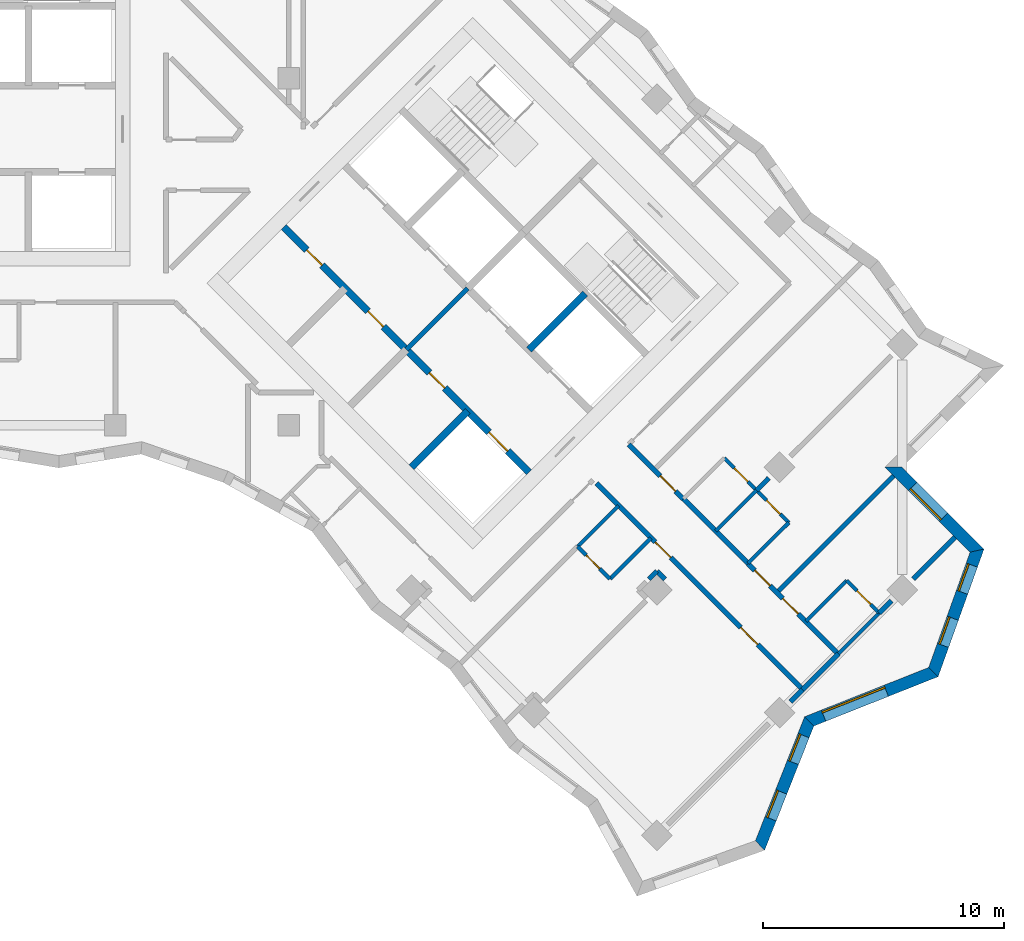
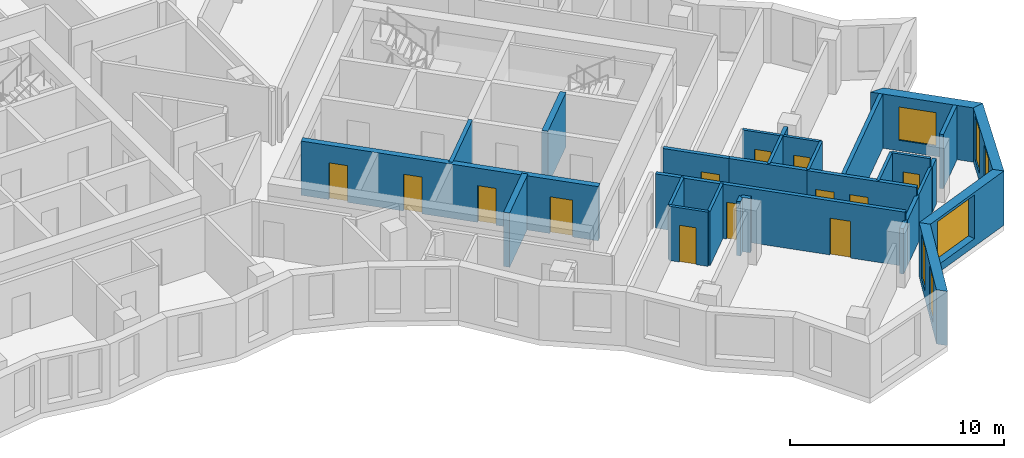
# One storey, part 8 of 12: 29 walls, 13 doors, 6 windows, 19 openings.
"""IFC4 building model written with IfcOpenShell, lengths in metres."""

from ifc_helpers import new_model, si_unit, direction, frame, frame_2d, origin, place, context, subcontext, project, spatial, polyline, rectangle, outline, extrude, material, layer, layer_set, type_object, element, fill, save


model = new_model("IFC4")

# Units and contexts
model_context = context("Model", 3, precision=1e-05, world=origin(), true_north=direction((0.0, 1.0)))
body_context = subcontext(model_context, "Body", "Model", "MODEL_VIEW")
ifc_project = project(units=[si_unit("LENGTHUNIT", "METRE"), si_unit("AREAUNIT", "SQUARE_METRE"), si_unit("VOLUMEUNIT", "CUBIC_METRE"), si_unit("PLANEANGLEUNIT", "RADIAN"), si_unit("MASSUNIT", "GRAM", prefix="KILO")], contexts=[model_context])

# Site, building, storey
site_placement = place(None, origin())
site = spatial("IfcSite", under=ifc_project, at=site_placement, CompositionType="ELEMENT")
building_placement = place(site_placement, origin())
building = spatial("IfcBuilding", under=site, at=building_placement, Name="Windrow Commons", CompositionType="ELEMENT")
storey_placement = place(building_placement, frame((0.0, 0.0, 166.0)))
storey = spatial("IfcBuildingStorey", under=building, at=storey_placement, Name="L45", CompositionType="ELEMENT", Elevation=166.0)

# Wall, openings, windows
ifc_material_1 = material(Name="Brick masonry, red clay brick", Category="masonry")
ifc_layer_1 = layer(ifc_material_1, 0.5)
ifc_layer_set_1 = layer_set([ifc_layer_1], Name="Brick facade wall 500")
wall_type_1 = type_object("IfcWallType", Name="Brick facade wall 500", PredefinedType="SOLIDWALL", material=ifc_layer_set_1)
wall_1_placement = place(storey_placement, frame((98.7524, 25.755, 0.0), z_axis=(0.0, 0.0, 1.0), x_axis=(0.3687203301, 0.9295403801, 0.0)))
wall_1 = element("IfcWall", 1, at=wall_1_placement, inside=storey, type_object=wall_type_1, Name="Brick facade wall L45 2", PredefinedType="SOLIDWALL", context=body_context, shape_type="SweptSolid", body=[
    extrude(outline(polyline([(-0.1129, -0.25), (5.435, -0.25), (5.651, 0.25), (0.1129, 0.25), (-0.1129, -0.25)])), origin(), (0.0, 0.0, 1.0), 3.1),
])
opening_1_placement = place(wall_1_placement, frame((1.1943, 0.0, 0.45)))
opening_1 = element("IfcOpeningElement", 2, at=opening_1_placement, cuts=wall_1, Name="Opening W7E", PredefinedType="OPENING", context=body_context, shape_type="SweptSolid", body=[
    extrude(rectangle(XDim=1.2, YDim=2.5, at=frame_2d((0.6, 1.25))), frame((0.0, 0.26, 0.0), z_axis=(0.0, -1.0, 0.0), x_axis=(1.0, 0.0, 0.0)), (0.0, 0.0, 1.0), 0.52),
])
opening_2_placement = place(wall_1_placement, frame((3.7094, 0.0, 0.45)))
opening_2 = element("IfcOpeningElement", 3, at=opening_2_placement, cuts=wall_1, Name="Opening W7E", PredefinedType="OPENING", context=body_context, shape_type="SweptSolid", body=[
    extrude(rectangle(XDim=1.2, YDim=2.5, at=frame_2d((0.6, 1.25))), frame((0.0, 0.26, 0.0), z_axis=(0.0, -1.0, 0.0), x_axis=(1.0, 0.0, 0.0)), (0.0, 0.0, 1.0), 0.52),
])
ifc_material_2 = material(Name="Clear float glass in anodised aluminium frame", Category="aluminium")
window_type_1 = type_object("IfcWindowType", Name="Window W7 notch 1200x2500", PartitioningType="SINGLE_PANEL", PredefinedType="WINDOW", material=ifc_material_2)
window_1_placement = place(opening_1_placement, origin())
window_1 = element("IfcWindow", 4, at=window_1_placement, inside=storey, type_object=window_type_1, Name="Window L45 2.1", OverallHeight=2.5, OverallWidth=1.2, PartitioningType="SINGLE_PANEL", PredefinedType="WINDOW", context=body_context, shape_type="SweptSolid", body=[
    extrude(rectangle(XDim=1.2, YDim=2.5, at=frame_2d((0.6, 1.25))), frame((0.0, 0.18, 0.0), z_axis=(0.0, -1.0, 0.0), x_axis=(1.0, 0.0, 0.0)), (0.0, 0.0, 1.0), 0.06),
])
fill(opening_1, window_1)
window_2_placement = place(opening_2_placement, origin())
window_2 = element("IfcWindow", 5, at=window_2_placement, inside=storey, type_object=window_type_1, Name="Window L45 2.2", OverallHeight=2.5, OverallWidth=1.2, PartitioningType="SINGLE_PANEL", PredefinedType="WINDOW", context=body_context, shape_type="SweptSolid", body=[
    extrude(rectangle(XDim=1.2, YDim=2.5, at=frame_2d((0.6, 1.25))), frame((0.0, 0.18, 0.0), z_axis=(0.0, -1.0, 0.0), x_axis=(1.0, 0.0, 0.0)), (0.0, 0.0, 1.0), 0.06),
])
fill(opening_2, window_2)

# Wall, opening, window
wall_2_placement = place(storey_placement, frame((100.7962, 30.9074, 0.0), z_axis=(0.0, 0.0, 1.0), x_axis=(0.9295366495, 0.3687297347, 0.0)))
wall_2 = element("IfcWall", 6, at=wall_2_placement, inside=storey, type_object=wall_type_1, Name="Brick facade wall L45 3", PredefinedType="SOLIDWALL", context=body_context, shape_type="SweptSolid", body=[
    extrude(outline(polyline([(0.108, -0.25), (5.6559, -0.25), (5.4301, 0.25), (-0.108, 0.25), (0.108, -0.25)])), origin(), (0.0, 0.0, 1.0), 3.1),
])
opening_3_placement = place(wall_2_placement, frame((0.6385, 0.0, 0.45)))
opening_3 = element("IfcOpeningElement", 7, at=opening_3_placement, cuts=wall_2, Name="Opening W1U", PredefinedType="OPENING", context=body_context, shape_type="SweptSolid", body=[
    extrude(rectangle(XDim=2.8, YDim=2.5, at=frame_2d((1.4, 1.25))), frame((0.0, 0.26, 0.0), z_axis=(0.0, -1.0, 0.0), x_axis=(1.0, 0.0, 0.0)), (0.0, 0.0, 1.0), 0.52),
])
ifc_material_3 = material(Name="Clear float glass in anodised aluminium frame", Category="aluminium")
window_type_2 = type_object("IfcWindowType", Name="Window W1U bedroom 2800x2500", PartitioningType="SINGLE_PANEL", PredefinedType="WINDOW", material=ifc_material_3)
window_3_placement = place(opening_3_placement, origin())
window_3 = element("IfcWindow", 8, at=window_3_placement, inside=storey, type_object=window_type_2, Name="Window L45 3.1", OverallHeight=2.5, OverallWidth=2.8, PartitioningType="SINGLE_PANEL", PredefinedType="WINDOW", context=body_context, shape_type="SweptSolid", body=[
    extrude(rectangle(XDim=2.8, YDim=2.5, at=frame_2d((1.4, 1.25))), frame((0.0, 0.18, 0.0), z_axis=(0.0, -1.0, 0.0), x_axis=(1.0, 0.0, 0.0)), (0.0, 0.0, 1.0), 0.06),
])
fill(opening_3, window_3)

# Wall, openings, windows
wall_3_placement = place(storey_placement, frame((105.9487, 32.9513, 0.0), z_axis=(0.0, 0.0, 1.0), x_axis=(0.3382165441, 0.9410683128, 0.0)))
wall_3 = element("IfcWall", 9, at=wall_3_placement, inside=storey, type_object=wall_type_1, Name="Brick facade wall L45 4", PredefinedType="SOLIDWALL", context=body_context, shape_type="SweptSolid", body=[
    extrude(outline(polyline([(-0.1129, -0.25), (5.5173, -0.25), (5.2002, 0.25), (0.1129, 0.25), (-0.1129, -0.25)])), origin(), (0.0, 0.0, 1.0), 3.1),
])
opening_4_placement = place(wall_3_placement, frame((1.1762, 0.0, 0.45)))
opening_4 = element("IfcOpeningElement", 10, at=opening_4_placement, cuts=wall_3, Name="Opening W7E", PredefinedType="OPENING", context=body_context, shape_type="SweptSolid", body=[
    extrude(rectangle(XDim=1.2, YDim=2.5, at=frame_2d((0.6, 1.25))), frame((0.0, 0.26, 0.0), z_axis=(0.0, -1.0, 0.0), x_axis=(1.0, 0.0, 0.0)), (0.0, 0.0, 1.0), 0.52),
])
opening_5_placement = place(wall_3_placement, frame((3.5199, 0.0, 0.45)))
opening_5 = element("IfcOpeningElement", 11, at=opening_5_placement, cuts=wall_3, Name="Opening W7E", PredefinedType="OPENING", context=body_context, shape_type="SweptSolid", body=[
    extrude(rectangle(XDim=1.2, YDim=2.5, at=frame_2d((0.6, 1.25))), frame((0.0, 0.26, 0.0), z_axis=(0.0, -1.0, 0.0), x_axis=(1.0, 0.0, 0.0)), (0.0, 0.0, 1.0), 0.52),
])
window_4_placement = place(opening_4_placement, origin())
window_4 = element("IfcWindow", 12, at=window_4_placement, inside=storey, type_object=window_type_1, Name="Window L45 4.1", OverallHeight=2.5, OverallWidth=1.2, PartitioningType="SINGLE_PANEL", PredefinedType="WINDOW", context=body_context, shape_type="SweptSolid", body=[
    extrude(rectangle(XDim=1.2, YDim=2.5, at=frame_2d((0.6, 1.25))), frame((0.0, 0.18, 0.0), z_axis=(0.0, -1.0, 0.0), x_axis=(1.0, 0.0, 0.0)), (0.0, 0.0, 1.0), 0.06),
])
fill(opening_4, window_4)
window_5_placement = place(opening_5_placement, origin())
window_5 = element("IfcWindow", 13, at=window_5_placement, inside=storey, type_object=window_type_1, Name="Window L45 4.2", OverallHeight=2.5, OverallWidth=1.2, PartitioningType="SINGLE_PANEL", PredefinedType="WINDOW", context=body_context, shape_type="SweptSolid", body=[
    extrude(rectangle(XDim=1.2, YDim=2.5, at=frame_2d((0.6, 1.25))), frame((0.0, 0.18, 0.0), z_axis=(0.0, -1.0, 0.0), x_axis=(1.0, 0.0, 0.0)), (0.0, 0.0, 1.0), 0.06),
])
fill(opening_5, window_5)

# Wall, opening, window
wall_4_placement = place(storey_placement, frame((107.7611, 37.9942, 0.0), z_axis=(0.0, 0.0, 1.0), x_axis=(-0.7071170028, 0.7070965594, 0.0)))
wall_4 = element("IfcWall", 14, at=wall_4_placement, inside=storey, type_object=wall_type_1, Name="Brick facade wall L45 5", PredefinedType="SOLIDWALL", context=body_context, shape_type="SweptSolid", body=[
    extrude(outline(polyline([(-0.1586, -0.25), (4.6415, -0.25), (5.1415, 0.25), (0.1586, 0.25), (-0.1586, -0.25)])), origin(), (0.0, 0.0, 1.0), 3.1),
])
opening_6_placement = place(wall_4_placement, frame((1.9665, 0.0, 0.6)))
opening_6 = element("IfcOpeningElement", 15, at=opening_6_placement, cuts=wall_4, Name="Opening W1L", PredefinedType="OPENING", context=body_context, shape_type="SweptSolid", body=[
    extrude(rectangle(XDim=1.8, YDim=1.9, at=frame_2d((0.9, 0.95))), frame((0.0, 0.26, 0.0), z_axis=(0.0, -1.0, 0.0), x_axis=(1.0, 0.0, 0.0)), (0.0, 0.0, 1.0), 0.52),
])
ifc_material_4 = material(Name="Clear float glass in anodised aluminium frame", Category="aluminium")
window_type_3 = type_object("IfcWindowType", Name="Window W1L bedroom 1800x1900", PartitioningType="SINGLE_PANEL", PredefinedType="WINDOW", material=ifc_material_4)
window_6_placement = place(opening_6_placement, origin())
window_6 = element("IfcWindow", 16, at=window_6_placement, inside=storey, type_object=window_type_3, Name="Window L45 5.1", OverallHeight=1.9, OverallWidth=1.8, PartitioningType="SINGLE_PANEL", PredefinedType="WINDOW", context=body_context, shape_type="SweptSolid", body=[
    extrude(rectangle(XDim=1.8, YDim=1.9, at=frame_2d((0.9, 0.95))), frame((0.0, 0.18, 0.0), z_axis=(0.0, -1.0, 0.0), x_axis=(1.0, 0.0, 0.0)), (0.0, 0.0, 1.0), 0.06),
])
fill(opening_6, window_6)

# Wall
ifc_material_5 = material(Name="Blockwork partition", Category="masonry")
ifc_layer_2 = layer(ifc_material_5, 0.2)
ifc_layer_set_2 = layer_set([ifc_layer_2], Name="Fire lobby partition 200")
wall_type_2 = type_object("IfcWallType", Name="Fire lobby partition 200", PredefinedType="PARTITIONING", material=ifc_layer_set_2)
wall_5_placement = place(storey_placement, frame((84.079, 46.332, 0.0), z_axis=(0.0, 0.0, 1.0), x_axis=(0.7071067812, 0.7071067812, 0.0)))
element("IfcWall", 17, at=wall_5_placement, inside=storey, type_object=wall_type_2, Name="W-core-lobby-B-L45", PredefinedType="PARTITIONING", context=body_context, shape_type="SweptSolid", body=[
    extrude(rectangle(XDim=3.6, YDim=0.2, at=frame_2d((1.8, 0.0))), origin(), (0.0, 0.0, 1.0), 3.1),
])

# Wall, openings, doors
ifc_material_6 = material(Name="Blockwork partition", Category="masonry")
ifc_layer_3 = layer(ifc_material_6, 0.2)
ifc_layer_set_3 = layer_set([ifc_layer_3], Name="IW-CORRIDOR-200")
wall_type_3 = type_object("IfcWallType", Name="IW-CORRIDOR-200", PredefinedType="PARTITIONING", material=ifc_layer_set_3)
wall_6_placement = place(storey_placement, frame((91.9671, 40.7851, 0.0), z_axis=(0.0, 0.0, 1.0), x_axis=(0.7071067812, -0.7071067812, 0.0)))
wall_6 = element("IfcWall", 18, at=wall_6_placement, inside=storey, type_object=wall_type_3, Name="W-L45-W005", PredefinedType="PARTITIONING", context=body_context, shape_type="SweptSolid", body=[
    extrude(rectangle(XDim=12.1, YDim=0.2, at=frame_2d((6.05, 0.0))), origin(), (0.0, 0.0, 1.0), 3.1),
])
opening_7_placement = place(wall_6_placement, frame((3.4484, 0.0, 0.0)))
opening_7 = element("IfcOpeningElement", 19, at=opening_7_placement, cuts=wall_6, Name="Opening D109S", PredefinedType="OPENING", context=body_context, shape_type="SweptSolid", body=[
    extrude(rectangle(XDim=0.9, YDim=2.1, at=frame_2d((0.45, 1.05))), frame((0.0, 0.11, 0.0), z_axis=(0.0, -1.0, 0.0), x_axis=(1.0, 0.0, 0.0)), (0.0, 0.0, 1.0), 0.22),
])
opening_8_placement = place(wall_6_placement, frame((8.4575, 0.0, 0.0)))
opening_8 = element("IfcOpeningElement", 20, at=opening_8_placement, cuts=wall_6, Name="Opening D310F", PredefinedType="OPENING", context=body_context, shape_type="SweptSolid", body=[
    extrude(rectangle(XDim=1.0, YDim=2.1, at=frame_2d((0.5, 1.05))), frame((0.0, 0.11, 0.0), z_axis=(0.0, -1.0, 0.0), x_axis=(1.0, 0.0, 0.0)), (0.0, 0.0, 1.0), 0.22),
])
ifc_material_7 = material(Name="Timber door leaf", Category="wood")
door_type_1 = type_object("IfcDoorType", Name="DT-AMENITY-1000", OperationType="SINGLE_SWING_LEFT", PredefinedType="DOOR", material=ifc_material_7)
door_1_placement = place(opening_8_placement, origin())
door_1 = element("IfcDoor", 21, at=door_1_placement, inside=storey, type_object=door_type_1, Name="D-L45-D054", OperationType="SINGLE_SWING_RIGHT", OverallHeight=2.1, OverallWidth=1.0, PredefinedType="DOOR", context=body_context, shape_type="SweptSolid", body=[
    extrude(rectangle(XDim=1.0, YDim=2.1, at=frame_2d((0.5, 1.05))), frame((0.0, 0.025, 0.0), z_axis=(0.0, -1.0, 0.0), x_axis=(1.0, 0.0, 0.0)), (0.0, 0.0, 1.0), 0.05),
])
fill(opening_8, door_1)
ifc_material_8 = material(Name="Timber door leaf", Category="wood")
door_type_2 = type_object("IfcDoorType", Name="DT-BEDROOM-900", OperationType="SINGLE_SWING_LEFT", PredefinedType="DOOR", material=ifc_material_8)
door_2_placement = place(opening_7_placement, origin())
door_2 = element("IfcDoor", 22, at=door_2_placement, inside=storey, type_object=door_type_2, Name="D-L45-D052", OperationType="SINGLE_SWING_LEFT", OverallHeight=2.1, OverallWidth=0.9, PredefinedType="DOOR", context=body_context, shape_type="SweptSolid", body=[
    extrude(rectangle(XDim=0.9, YDim=2.1, at=frame_2d((0.45, 1.05))), frame((0.0, 0.025, 0.0), z_axis=(0.0, -1.0, 0.0), x_axis=(1.0, 0.0, 0.0)), (0.0, 0.0, 1.0), 0.05),
])
fill(opening_7, door_2)

wall_7_placement = place(storey_placement, frame((98.253, 37.455, 0.0), z_axis=(0.0, 0.0, 1.0), x_axis=(0.7071067812, -0.7071067812, 0.0)))
wall_7 = element("IfcWall", 23, at=wall_7_placement, inside=storey, type_object=wall_type_3, Name="W-L45-W034", PredefinedType="PARTITIONING", context=body_context, shape_type="SweptSolid", body=[
    extrude(rectangle(XDim=5.3005, YDim=0.2, at=frame_2d((2.6503, 0.0))), origin(), (0.0, 0.0, 1.0), 3.1),
])
opening_9_placement = place(wall_7_placement, frame((0.4005, 0.0, 0.0)))
opening_9 = element("IfcOpeningElement", 24, at=opening_9_placement, cuts=wall_7, Name="Opening D109S", PredefinedType="OPENING", context=body_context, shape_type="SweptSolid", body=[
    extrude(rectangle(XDim=0.9, YDim=2.1, at=frame_2d((0.45, 1.05))), frame((0.0, 0.11, 0.0), z_axis=(0.0, -1.0, 0.0), x_axis=(1.0, 0.0, 0.0)), (0.0, 0.0, 1.0), 0.22),
])
opening_10_placement = place(wall_7_placement, frame((2.0505, 0.0, 0.0)))
opening_10 = element("IfcOpeningElement", 25, at=opening_10_placement, cuts=wall_7, Name="Opening D109S", PredefinedType="OPENING", context=body_context, shape_type="SweptSolid", body=[
    extrude(rectangle(XDim=0.9, YDim=2.1, at=frame_2d((0.45, 1.05))), frame((0.0, 0.11, 0.0), z_axis=(0.0, -1.0, 0.0), x_axis=(1.0, 0.0, 0.0)), (0.0, 0.0, 1.0), 0.22),
])
door_3_placement = place(opening_9_placement, origin())
door_3 = element("IfcDoor", 26, at=door_3_placement, inside=storey, type_object=door_type_2, Name="D-L45-D045", OperationType="SINGLE_SWING_LEFT", OverallHeight=2.1, OverallWidth=0.9, PredefinedType="DOOR", context=body_context, shape_type="SweptSolid", body=[
    extrude(rectangle(XDim=0.9, YDim=2.1, at=frame_2d((0.45, 1.05))), frame((0.0, 0.025, 0.0), z_axis=(0.0, -1.0, 0.0), x_axis=(1.0, 0.0, 0.0)), (0.0, 0.0, 1.0), 0.05),
])
fill(opening_9, door_3)
door_4_placement = place(opening_10_placement, origin())
door_4 = element("IfcDoor", 27, at=door_4_placement, inside=storey, type_object=door_type_2, Name="D-L45-D055", OperationType="SINGLE_SWING_RIGHT", OverallHeight=2.1, OverallWidth=0.9, PredefinedType="DOOR", context=body_context, shape_type="SweptSolid", body=[
    extrude(rectangle(XDim=0.9, YDim=2.1, at=frame_2d((0.45, 1.05))), frame((0.0, 0.025, 0.0), z_axis=(0.0, -1.0, 0.0), x_axis=(1.0, 0.0, 0.0)), (0.0, 0.0, 1.0), 0.05),
])
fill(opening_10, door_4)

# Wall
wall_8_placement = place(storey_placement, frame((95.5735, 40.1475, 0.0), z_axis=(0.0, 0.0, 1.0), x_axis=(0.7068698107, -0.7073436723, 0.0)))
element("IfcWall", 28, at=wall_8_placement, inside=storey, type_object=wall_type_3, Name="W-L45-W053", PredefinedType="PARTITIONING", context=body_context, shape_type="SweptSolid", body=[
    extrude(rectangle(XDim=3.7986, YDim=0.2, at=frame_2d((1.8993, 0.0))), origin(), (0.0, 0.0, 1.0), 3.1),
])

# Wall, opening, door
wall_9_placement = place(storey_placement, frame((93.305, 42.403, 0.0), z_axis=(0.0, 0.0, 1.0), x_axis=(0.7071067812, -0.7071067812, 0.0)))
wall_9 = element("IfcWall", 29, at=wall_9_placement, inside=storey, type_object=wall_type_3, Name="W-L45-W058", PredefinedType="PARTITIONING", context=body_context, shape_type="SweptSolid", body=[
    extrude(rectangle(XDim=3.199, YDim=0.2, at=frame_2d((1.5995, 0.0))), origin(), (0.0, 0.0, 1.0), 3.1),
])
opening_11_placement = place(wall_9_placement, frame((1.848, 0.0, 0.0)))
opening_11 = element("IfcOpeningElement", 30, at=opening_11_placement, cuts=wall_9, Name="Opening D109S", PredefinedType="OPENING", context=body_context, shape_type="SweptSolid", body=[
    extrude(rectangle(XDim=0.9, YDim=2.1, at=frame_2d((0.45, 1.05))), frame((0.0, 0.11, 0.0), z_axis=(0.0, -1.0, 0.0), x_axis=(1.0, 0.0, 0.0)), (0.0, 0.0, 1.0), 0.22),
])
door_5_placement = place(opening_11_placement, origin())
door_5 = element("IfcDoor", 31, at=door_5_placement, inside=storey, type_object=door_type_2, Name="D-L45-D043", OperationType="SINGLE_SWING_RIGHT", OverallHeight=2.1, OverallWidth=0.9, PredefinedType="DOOR", context=body_context, shape_type="SweptSolid", body=[
    extrude(rectangle(XDim=0.9, YDim=2.1, at=frame_2d((0.45, 1.05))), frame((0.0, 0.025, 0.0), z_axis=(0.0, -1.0, 0.0), x_axis=(1.0, 0.0, 0.0)), (0.0, 0.0, 1.0), 0.05),
])
fill(opening_11, door_5)

# Wall
wall_10_placement = place(storey_placement, frame((100.5192, 32.2268, 0.0), z_axis=(0.0, 0.0, 1.0), x_axis=(0.7071067812, 0.7071067812, 0.0)))
element("IfcWall", 32, at=wall_10_placement, inside=storey, type_object=wall_type_3, Name="W-L45-W113", PredefinedType="PARTITIONING", context=body_context, shape_type="SweptSolid", body=[
    extrude(rectangle(XDim=2.0987, YDim=0.2, at=frame_2d((1.0494, 0.0))), origin(), (0.0, 0.0, 1.0), 2.6),
])

# Wall, openings, doors
ifc_material_9 = material(Name="Blockwork partition", Category="masonry")
ifc_layer_4 = layer(ifc_material_9, 0.15)
ifc_layer_set_4 = layer_set([ifc_layer_4], Name="IW-ENSUITE-150")
wall_type_4 = type_object("IfcWallType", Name="IW-ENSUITE-150", PredefinedType="PARTITIONING", material=ifc_layer_set_4)
wall_11_placement = place(storey_placement, frame((97.263, 41.839, 0.0), z_axis=(0.0, 0.0, 1.0), x_axis=(0.7071067812, -0.7071067812, 0.0)))
wall_11 = element("IfcWall", 33, at=wall_11_placement, inside=storey, type_object=wall_type_4, Name="W-L45-W050", PredefinedType="PARTITIONING", context=body_context, shape_type="SweptSolid", body=[
    extrude(rectangle(XDim=3.8014, YDim=0.15, at=frame_2d((1.9007, 0.0))), origin(), (0.0, 0.0, 1.0), 3.1),
])
opening_12_placement = place(wall_11_placement, frame((0.5984, 0.0, 0.0)))
opening_12 = element("IfcOpeningElement", 34, at=opening_12_placement, cuts=wall_11, Name="Opening D208N", PredefinedType="OPENING", context=body_context, shape_type="SweptSolid", body=[
    extrude(rectangle(XDim=0.8, YDim=2.1, at=frame_2d((0.4, 1.05))), frame((0.0, 0.085, 0.0), z_axis=(0.0, -1.0, 0.0), x_axis=(1.0, 0.0, 0.0)), (0.0, 0.0, 1.0), 0.17),
])
opening_13_placement = place(wall_11_placement, frame((2.4929, 0.0, 0.0)))
opening_13 = element("IfcOpeningElement", 35, at=opening_13_placement, cuts=wall_11, Name="Opening D208N", PredefinedType="OPENING", context=body_context, shape_type="SweptSolid", body=[
    extrude(rectangle(XDim=0.8, YDim=2.1, at=frame_2d((0.4, 1.05))), frame((0.0, 0.085, 0.0), z_axis=(0.0, -1.0, 0.0), x_axis=(1.0, 0.0, 0.0)), (0.0, 0.0, 1.0), 0.17),
])
ifc_material_10 = material(Name="Timber door leaf", Category="wood")
door_type_3 = type_object("IfcDoorType", Name="DT-ENSUITE-800", OperationType="SINGLE_SWING_LEFT", PredefinedType="DOOR", material=ifc_material_10)
door_6_placement = place(opening_12_placement, origin())
door_6 = element("IfcDoor", 36, at=door_6_placement, inside=storey, type_object=door_type_3, Name="D-L45-D044", OperationType="SINGLE_SWING_RIGHT", OverallHeight=2.1, OverallWidth=0.8, PredefinedType="DOOR", context=body_context, shape_type="SweptSolid", body=[
    extrude(rectangle(XDim=0.8, YDim=2.1, at=frame_2d((0.4, 1.05))), frame((0.0, 0.025, 0.0), z_axis=(0.0, -1.0, 0.0), x_axis=(1.0, 0.0, 0.0)), (0.0, 0.0, 1.0), 0.05),
])
fill(opening_12, door_6)
door_7_placement = place(opening_13_placement, origin())
door_7 = element("IfcDoor", 37, at=door_7_placement, inside=storey, type_object=door_type_3, Name="D-L45-D046", OperationType="SINGLE_SWING_RIGHT", OverallHeight=2.1, OverallWidth=0.8, PredefinedType="DOOR", context=body_context, shape_type="SweptSolid", body=[
    extrude(rectangle(XDim=0.8, YDim=2.1, at=frame_2d((0.4, 1.05))), frame((0.0, 0.025, 0.0), z_axis=(0.0, -1.0, 0.0), x_axis=(1.0, 0.0, 0.0)), (0.0, 0.0, 1.0), 0.05),
])
fill(opening_13, door_7)

# Walls
wall_12_placement = place(storey_placement, frame((102.0032, 33.7108, 0.0), z_axis=(0.0, 0.0, 1.0), x_axis=(0.7071067812, 0.7071067812, 0.0)))
element("IfcWall", 38, at=wall_12_placement, inside=storey, type_object=wall_type_4, Name="W-L45-W070", PredefinedType="PARTITIONING", context=body_context, shape_type="SweptSolid", body=[
    extrude(rectangle(XDim=2.4013, YDim=0.15, at=frame_2d((1.2006, 0.0))), origin(), (0.0, 0.0, 1.0), 2.6),
])
for number, where, z_axis, x_axis, name in (
    (39, (98.2531, 37.4609, 0.0), (0.0, 0.0, 1.0), (0.7075233388, 0.706689978, 0.0), "W-L45-W094"),
    (40, (100.6573, 35.0568, 0.0), (0.0, 0.0, 1.0), (0.7075233388, 0.706689978, 0.0), "W-L45-W095"),
    (41, (91.1888, 38.1612, 0.0), (0.0, 0.0, 1.0), (0.706689978, 0.7075233388, 0.0), "W-L45-W096"),
    (42, (92.5307, 36.8193, 0.0), (0.0, 0.0, 1.0), (0.7075233388, 0.706689978, 0.0), "W-L45-W097"),
):
    element("IfcWall", number, at=place(storey_placement, frame(where, z_axis=z_axis, x_axis=x_axis)), inside=storey, type_object=wall_type_4, Name=name, PredefinedType="PARTITIONING", context=body_context, shape_type="SweptSolid", body=[
        extrude(rectangle(XDim=2.3999, YDim=0.15, at=frame_2d((1.2, 0.0))), origin(), (0.0, 0.0, 1.0), 3.1),
    ])
wall_13_placement = place(storey_placement, frame((96.913, 38.803, 0.0), z_axis=(0.0, 0.0, 1.0), x_axis=(0.7071067812, 0.7071067812, 0.0)))
element("IfcWall", 43, at=wall_13_placement, inside=storey, type_object=wall_type_4, Name="W-L45-W098", PredefinedType="PARTITIONING", context=body_context, shape_type="SweptSolid", body=[
    extrude(rectangle(XDim=2.3985, YDim=0.15, at=frame_2d((1.1992, 0.0))), origin(), (0.0, 0.0, 1.0), 3.1),
])

# Wall, opening, door
wall_14_placement = place(storey_placement, frame((102.3583, 36.7503, 0.0), z_axis=(0.0, 0.0, 1.0), x_axis=(0.7076330979, -0.7065800724, 0.0)))
wall_14 = element("IfcWall", 44, at=wall_14_placement, inside=storey, type_object=wall_type_4, Name="W-L45-W125", PredefinedType="PARTITIONING", context=body_context, shape_type="SweptSolid", body=[
    extrude(rectangle(XDim=1.8993, YDim=0.15, at=frame_2d((0.9496, 0.0))), origin(), (0.0, 0.0, 1.0), 3.1),
])
opening_14_placement = place(wall_14_placement, frame((0.5972, 0.0, 0.0)))
opening_14 = element("IfcOpeningElement", 45, at=opening_14_placement, cuts=wall_14, Name="Opening D208N", PredefinedType="OPENING", context=body_context, shape_type="SweptSolid", body=[
    extrude(rectangle(XDim=0.8, YDim=2.1, at=frame_2d((0.4, 1.05))), frame((0.0, 0.085, 0.0), z_axis=(0.0, -1.0, 0.0), x_axis=(1.0, 0.0, 0.0)), (0.0, 0.0, 1.0), 0.17),
])
door_8_placement = place(opening_14_placement, origin())
door_8 = element("IfcDoor", 46, at=door_8_placement, inside=storey, type_object=door_type_3, Name="D-L45-D056", OperationType="SINGLE_SWING_RIGHT", OverallHeight=2.1, OverallWidth=0.8, PredefinedType="DOOR", context=body_context, shape_type="SweptSolid", body=[
    extrude(rectangle(XDim=0.8, YDim=2.1, at=frame_2d((0.4, 1.05))), frame((0.0, 0.025, 0.0), z_axis=(0.0, -1.0, 0.0), x_axis=(1.0, 0.0, 0.0)), (0.0, 0.0, 1.0), 0.05),
])
fill(opening_14, door_8)

wall_15_placement = place(storey_placement, frame((91.183, 38.161, 0.0), z_axis=(0.0, 0.0, 1.0), x_axis=(0.7071067812, -0.7071067812, 0.0)))
wall_15 = element("IfcWall", 47, at=wall_15_placement, inside=storey, type_object=wall_type_4, Name="W-L45-W126", PredefinedType="PARTITIONING", context=body_context, shape_type="SweptSolid", body=[
    extrude(rectangle(XDim=1.8979, YDim=0.15, at=frame_2d((0.9489, 0.0))), origin(), (0.0, 0.0, 1.0), 3.1),
])
opening_15_placement = place(wall_15_placement, frame((0.501, 0.0, 0.0)))
opening_15 = element("IfcOpeningElement", 48, at=opening_15_placement, cuts=wall_15, Name="Opening D208N", PredefinedType="OPENING", context=body_context, shape_type="SweptSolid", body=[
    extrude(rectangle(XDim=0.8, YDim=2.1, at=frame_2d((0.4, 1.05))), frame((0.0, 0.085, 0.0), z_axis=(0.0, -1.0, 0.0), x_axis=(1.0, 0.0, 0.0)), (0.0, 0.0, 1.0), 0.17),
])
door_9_placement = place(opening_15_placement, origin())
door_9 = element("IfcDoor", 49, at=door_9_placement, inside=storey, type_object=door_type_3, Name="D-L45-D053", OperationType="SINGLE_SWING_RIGHT", OverallHeight=2.1, OverallWidth=0.8, PredefinedType="DOOR", context=body_context, shape_type="SweptSolid", body=[
    extrude(rectangle(XDim=0.8, YDim=2.1, at=frame_2d((0.4, 1.05))), frame((0.0, 0.025, 0.0), z_axis=(0.0, -1.0, 0.0), x_axis=(1.0, 0.0, 0.0)), (0.0, 0.0, 1.0), 0.05),
])
fill(opening_15, door_9)

# Walls
ifc_material_11 = material(Name="Blockwork partition", Category="masonry")
ifc_layer_5 = layer(ifc_material_11, 0.2)
ifc_layer_set_5 = layer_set([ifc_layer_5], Name="IW-PARTY-200")
wall_type_5 = type_object("IfcWallType", Name="IW-PARTY-200", PredefinedType="PARTITIONING", material=ifc_layer_set_5)
wall_16_placement = place(storey_placement, frame((99.4576, 36.2564, 0.0), z_axis=(0.0, 0.0, 1.0), x_axis=(0.7071067812, 0.7071067812, 0.0)))
element("IfcWall", 50, at=wall_16_placement, inside=storey, type_object=wall_type_5, Name="W-L45-W020", PredefinedType="PARTITIONING", context=body_context, shape_type="SweptSolid", body=[
    extrude(rectangle(XDim=6.8502, YDim=0.2, at=frame_2d((3.4251, 0.0))), origin(), (0.0, 0.0, 1.0), 3.1),
])
wall_17_placement = place(storey_placement, frame((105.1052, 36.8128, 0.0), z_axis=(0.0, 0.0, 1.0), x_axis=(0.7071067812, 0.7071067812, 0.0)))
element("IfcWall", 51, at=wall_17_placement, inside=storey, type_object=wall_type_5, Name="W-L45-W069", PredefinedType="PARTITIONING", context=body_context, shape_type="SweptSolid", body=[
    extrude(rectangle(XDim=2.4634, YDim=0.2, at=frame_2d((1.2317, 0.0))), origin(), (0.0, 0.0, 1.0), 3.1),
])
wall_18_placement = place(storey_placement, frame((100.0132, 31.7208, 0.0), z_axis=(0.0, 0.0, 1.0), x_axis=(0.7071067812, 0.7071067812, 0.0)))
element("IfcWall", 52, at=wall_18_placement, inside=storey, type_object=wall_type_5, Name="W-L45-W144", PredefinedType="PARTITIONING", context=body_context, shape_type="SweptSolid", body=[
    extrude(rectangle(XDim=0.7156, YDim=0.2, at=frame_2d((0.3578, 0.0))), origin(), (0.0, 0.0, 1.0), 2.6),
])
wall_19_placement = place(storey_placement, frame((98.6128, 40.4952, 0.0), z_axis=(0.0, 0.0, 1.0), x_axis=(0.7057051861, 0.7085056035, 0.0)))
element("IfcWall", 53, at=wall_19_placement, inside=storey, type_object=wall_type_5, Name="W-L45-W145", PredefinedType="PARTITIONING", context=body_context, shape_type="SweptSolid", body=[
    extrude(rectangle(XDim=0.7142, YDim=0.2, at=frame_2d((0.3571, 0.0))), origin(), (0.0, 0.0, 1.0), 3.1),
])
wall_20_placement = place(storey_placement, frame((103.7012, 35.4088, 0.0), z_axis=(0.0, 0.0, 1.0), x_axis=(0.7071067812, 0.7071067812, 0.0)))
element("IfcWall", 54, at=wall_20_placement, inside=storey, type_object=wall_type_5, Name="W-L45-W146", PredefinedType="PARTITIONING", context=body_context, shape_type="SweptSolid", body=[
    extrude(rectangle(XDim=0.7128, YDim=0.2, at=frame_2d((0.3564, 0.0))), origin(), (0.0, 0.0, 1.0), 2.6),
])
wall_21_placement = place(storey_placement, frame((94.1451, 36.8129, 0.0), z_axis=(0.0, 0.0, 1.0), x_axis=(0.7071067812, 0.7071067812, 0.0)))
element("IfcWall", 55, at=wall_21_placement, inside=storey, type_object=wall_type_5, Name="W-L45-W155", PredefinedType="PARTITIONING", context=body_context, shape_type="SweptSolid", body=[
    extrude(rectangle(XDim=0.4695, YDim=0.2, at=frame_2d((0.2347, 0.0))), origin(), (0.0, 0.0, 1.0), 3.1),
])
wall_22_placement = place(storey_placement, frame((94.476, 37.142, 0.0), z_axis=(0.0, 0.0, 1.0), x_axis=(0.7049672897, -0.7092398187, 0.0)))
element("IfcWall", 56, at=wall_22_placement, inside=storey, type_object=wall_type_5, Name="W-L45-W159", PredefinedType="PARTITIONING", context=body_context, shape_type="SweptSolid", body=[
    extrude(rectangle(XDim=0.4681, YDim=0.2, at=frame_2d((0.2341, 0.0))), origin(), (0.0, 0.0, 1.0), 3.1),
])
ifc_material_12 = material(Name="Concrete C50/60", Category="concrete")
ifc_layer_6 = layer(ifc_material_12, 0.3)
ifc_layer_set_6 = layer_set([ifc_layer_6], Name="RC SHAFT WALL 300 C50/60")
wall_type_6 = type_object("IfcWallType", Name="RC SHAFT WALL 300 C50/60", PredefinedType="SOLIDWALL", material=ifc_layer_set_6)
wall_23_placement = place(storey_placement, frame((84.2912, 41.453, 0.0), z_axis=(0.0, 0.0, 1.0), x_axis=(0.7071067812, 0.7071067812, 0.0)))
element("IfcWall", 57, at=wall_23_placement, inside=storey, type_object=wall_type_6, Name="Core B wall shaft-S3", PredefinedType="SOLIDWALL", context=body_context, shape_type="SweptSolid", body=[
    extrude(rectangle(XDim=3.2999, YDim=0.3, at=frame_2d((1.65, 0.0))), origin(), (0.0, 0.0, 1.0), 3.1),
])
wall_24_placement = place(storey_placement, frame((89.1702, 46.332, 0.0), z_axis=(0.0, 0.0, 1.0), x_axis=(0.7071067812, 0.7071067812, 0.0)))
element("IfcWall", 58, at=wall_24_placement, inside=storey, type_object=wall_type_6, Name="Core B wall shaft-N3", PredefinedType="SOLIDWALL", context=body_context, shape_type="SweptSolid", body=[
    extrude(rectangle(XDim=3.3001, YDim=0.3, at=frame_2d((1.6501, 0.0))), origin(), (0.0, 0.0, 1.0), 3.1),
])

# Wall, openings, doors
wall_25_placement = place(storey_placement, frame((78.9879, 51.4232, 0.0), z_axis=(0.0, 0.0, 1.0), x_axis=(0.7071067812, -0.7071067812, 0.0)))
wall_25 = element("IfcWall", 59, at=wall_25_placement, inside=storey, type_object=wall_type_6, Name="Core B wall lobby-S", PredefinedType="SOLIDWALL", context=body_context, shape_type="SweptSolid", body=[
    extrude(rectangle(XDim=14.3999, YDim=0.3, at=frame_2d((7.2, 0.0))), origin(), (0.0, 0.0, 1.0), 3.1),
])
opening_16_placement = place(wall_25_placement, frame((1.35, 0.0, 0.0)))
opening_16 = element("IfcOpeningElement", 60, at=opening_16_placement, cuts=wall_25, Name="Opening D8", PredefinedType="OPENING", context=body_context, shape_type="SweptSolid", body=[
    extrude(rectangle(XDim=0.9, YDim=2.1, at=frame_2d((0.45, 1.05))), frame((0.0, 0.16, 0.0), z_axis=(0.0, -1.0, 0.0), x_axis=(1.0, 0.0, 0.0)), (0.0, 0.0, 1.0), 0.32),
])
opening_17_placement = place(wall_25_placement, frame((4.95, 0.0, 0.0)))
opening_17 = element("IfcOpeningElement", 61, at=opening_17_placement, cuts=wall_25, Name="Opening D8", PredefinedType="OPENING", context=body_context, shape_type="SweptSolid", body=[
    extrude(rectangle(XDim=0.9, YDim=2.1, at=frame_2d((0.45, 1.05))), frame((0.0, 0.16, 0.0), z_axis=(0.0, -1.0, 0.0), x_axis=(1.0, 0.0, 0.0)), (0.0, 0.0, 1.0), 0.32),
])
opening_18_placement = place(wall_25_placement, frame((8.55, 0.0, 0.0)))
opening_18 = element("IfcOpeningElement", 62, at=opening_18_placement, cuts=wall_25, Name="Opening D8", PredefinedType="OPENING", context=body_context, shape_type="SweptSolid", body=[
    extrude(rectangle(XDim=0.9, YDim=2.1, at=frame_2d((0.45, 1.05))), frame((0.0, 0.16, 0.0), z_axis=(0.0, -1.0, 0.0), x_axis=(1.0, 0.0, 0.0)), (0.0, 0.0, 1.0), 0.32),
])
opening_19_placement = place(wall_25_placement, frame((12.05, 0.0, 0.0)))
opening_19 = element("IfcOpeningElement", 63, at=opening_19_placement, cuts=wall_25, Name="Opening LD", PredefinedType="OPENING", context=body_context, shape_type="SweptSolid", body=[
    extrude(rectangle(XDim=1.1, YDim=2.1, at=frame_2d((0.55, 1.05))), frame((0.0, 0.16, 0.0), z_axis=(0.0, -1.0, 0.0), x_axis=(1.0, 0.0, 0.0)), (0.0, 0.0, 1.0), 0.32),
])
ifc_material_13 = material(Name="Steel fire door leaf", Category="steel")
door_type_4 = type_object("IfcDoorType", Name="Core store door 900", OperationType="SINGLE_SWING_LEFT", PredefinedType="DOOR", material=ifc_material_13)
door_10_placement = place(opening_16_placement, origin())
door_10 = element("IfcDoor", 64, at=door_10_placement, inside=storey, type_object=door_type_4, Name="Store door", OperationType="SINGLE_SWING_LEFT", OverallHeight=2.1, OverallWidth=0.9, PredefinedType="DOOR", context=body_context, shape_type="SweptSolid", body=[
    extrude(rectangle(XDim=0.9, YDim=2.1, at=frame_2d((0.45, 1.05))), frame((0.0, 0.025, 0.0), z_axis=(0.0, -1.0, 0.0), x_axis=(1.0, 0.0, 0.0)), (0.0, 0.0, 1.0), 0.05),
])
fill(opening_16, door_10)
door_11_placement = place(opening_17_placement, origin())
door_11 = element("IfcDoor", 65, at=door_11_placement, inside=storey, type_object=door_type_4, Name="Store door", OperationType="SINGLE_SWING_LEFT", OverallHeight=2.1, OverallWidth=0.9, PredefinedType="DOOR", context=body_context, shape_type="SweptSolid", body=[
    extrude(rectangle(XDim=0.9, YDim=2.1, at=frame_2d((0.45, 1.05))), frame((0.0, 0.025, 0.0), z_axis=(0.0, -1.0, 0.0), x_axis=(1.0, 0.0, 0.0)), (0.0, 0.0, 1.0), 0.05),
])
fill(opening_17, door_11)
door_12_placement = place(opening_18_placement, origin())
door_12 = element("IfcDoor", 66, at=door_12_placement, inside=storey, type_object=door_type_4, Name="Store door", OperationType="SINGLE_SWING_LEFT", OverallHeight=2.1, OverallWidth=0.9, PredefinedType="DOOR", context=body_context, shape_type="SweptSolid", body=[
    extrude(rectangle(XDim=0.9, YDim=2.1, at=frame_2d((0.45, 1.05))), frame((0.0, 0.025, 0.0), z_axis=(0.0, -1.0, 0.0), x_axis=(1.0, 0.0, 0.0)), (0.0, 0.0, 1.0), 0.05),
])
fill(opening_18, door_12)
ifc_material_14 = material(Name="Stainless steel door leaf", Category="steel")
door_type_5 = type_object("IfcDoorType", Name="Lift landing door 1100", OperationType="SLIDING_TO_LEFT", PredefinedType="DOOR", material=ifc_material_14)
door_13_placement = place(opening_19_placement, origin())
door_13 = element("IfcDoor", 67, at=door_13_placement, inside=storey, type_object=door_type_5, Name="Lift landing door", OperationType="SLIDING_TO_RIGHT", OverallHeight=2.1, OverallWidth=1.1, PredefinedType="DOOR", context=body_context, shape_type="SweptSolid", body=[
    extrude(rectangle(XDim=1.1, YDim=2.1, at=frame_2d((0.55, 1.05))), frame((0.0, 0.025, 0.0), z_axis=(0.0, -1.0, 0.0), x_axis=(1.0, 0.0, 0.0)), (0.0, 0.0, 1.0), 0.05),
])
fill(opening_19, door_13)

save(model, "model.ifc")
